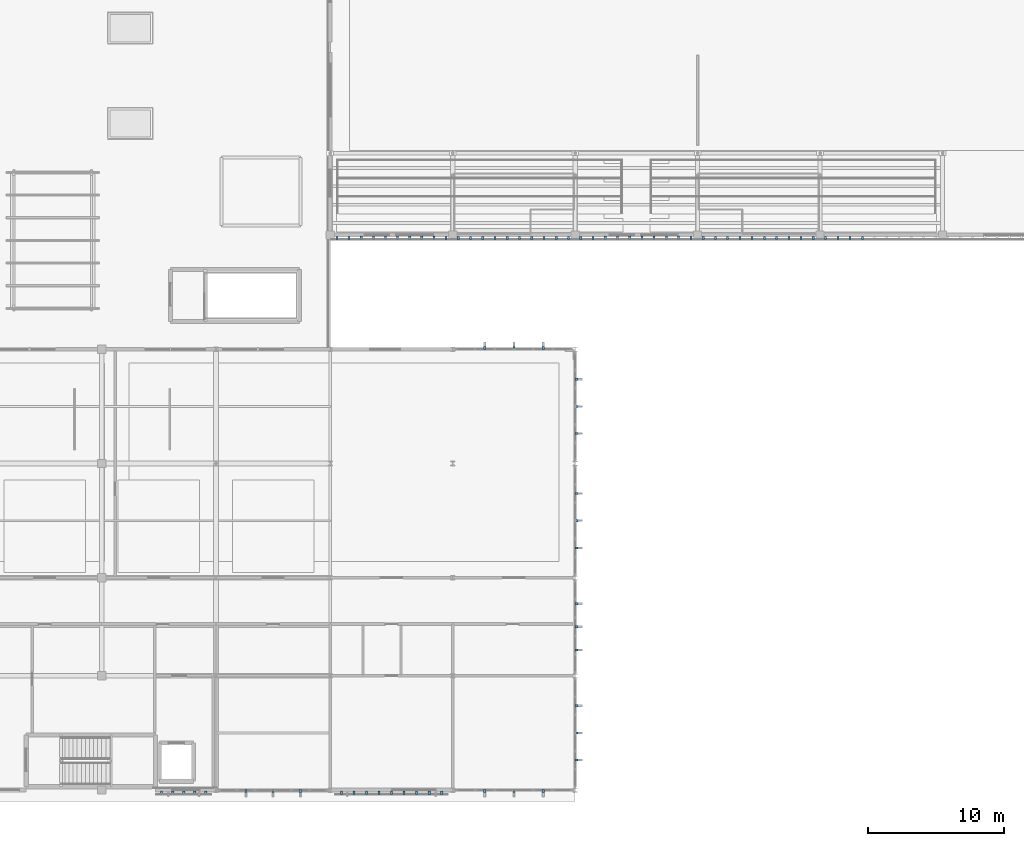
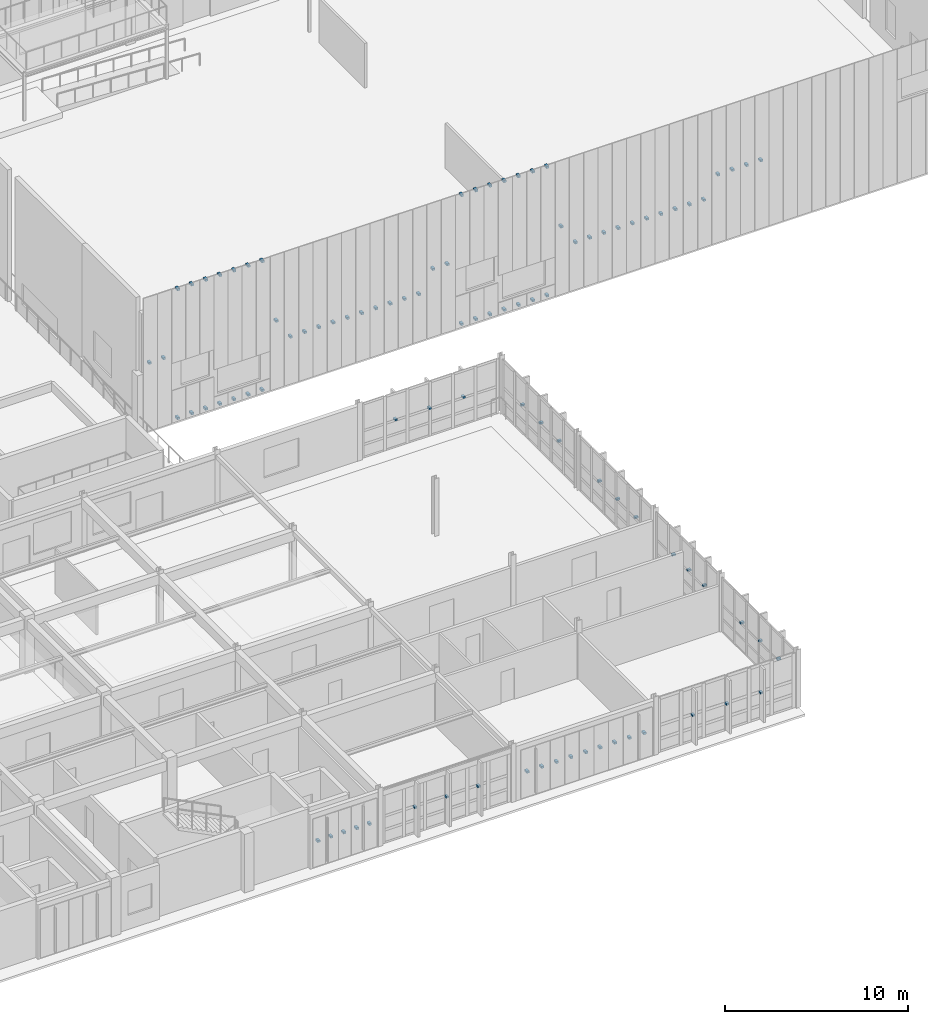
# One storey, part 50 of 67: 93 discrete accessories.
"""IFC4 building model written with IfcOpenShell, lengths in metres."""

import ifcopenshell
import ifcopenshell.guid

model = None  # the IFC model being written
_history = None  # IfcOwnerHistory: only IFC2X3 demands one
_inside = {}  # id of a spatial element -> (the spatial element, [elements in it])
_under = {}  # id of a project, library or spatial element -> (it, [spatial elements below it])
_declared = {}  # id of a project -> (the project, [libraries it declares])
_typed = {}  # id of a type object -> (the type object, [elements of that type])
_made_of = {}  # id of a material, layer set ... -> (it, [elements and type objects made of it])


def new_model(schema):
    """Start an empty IFC model of exactly this schema.

    Asked for "IFC4X3", IfcOpenShell would pick the latest addendum, in which some entities
    have other attributes; the version numbers below select the first issue.
    IFC2X3 requires an IfcOwnerHistory on every rooted entity: one is made here for all.
    """
    global model, _history
    if schema == "IFC4X3":
        model = ifcopenshell.file(schema_version=(4, 3, 0, 0))
    else:
        model = ifcopenshell.file(schema=schema)
    _inside.clear()
    _under.clear()
    _declared.clear()
    _typed.clear()
    _made_of.clear()
    _history = None
    if model.schema == "IFC2X3":
        org = make("IfcOrganization", Name="unknown")
        user = make(
            "IfcPersonAndOrganization",
            ThePerson=make("IfcPerson", FamilyName="unknown"),
            TheOrganization=org,
        )
        app = make(
            "IfcApplication",
            ApplicationDeveloper=org,
            Version="unknown",
            ApplicationFullName="unknown",
            ApplicationIdentifier="unknown",
        )
        _history = make(
            "IfcOwnerHistory",
            OwningUser=user,
            OwningApplication=app,
            ChangeAction="ADDED",
            CreationDate=0,
        )
    return model


def make(cls, **values):
    """One entity of the class cls with the attributes given. An attribute that is None is left unset."""
    return model.create_entity(
        cls, **{name: value for name, value in values.items() if value is not None}
    )


def rooted(cls, **values):
    """An entity with a GlobalId (a new one), such as an element, a storey or a relation."""
    return make(cls, GlobalId=ifcopenshell.guid.new(), OwnerHistory=_history, **values)


def si_unit(unit_type, name, prefix=None):
    """IfcSIUnit, for example si_unit("LENGTHUNIT", "METRE", prefix="MILLI")."""
    return make("IfcSIUnit", UnitType=unit_type, Prefix=prefix, Name=name)


def assignment(units):
    """IfcUnitAssignment: the units of a project."""
    return None if units is None else make("IfcUnitAssignment", Units=units)


def point(xyz):
    """IfcCartesianPoint."""
    return None if xyz is None else make("IfcCartesianPoint", Coordinates=xyz)


def direction(xyz):
    """IfcDirection."""
    return None if xyz is None else make("IfcDirection", DirectionRatios=xyz)


def frame(location, z_axis=None, x_axis=None):
    """IfcAxis2Placement3D, a coordinate frame: its origin and axes. An axis left out is left unset."""
    return make(
        "IfcAxis2Placement3D",
        Location=point(location),
        Axis=direction(z_axis),
        RefDirection=direction(x_axis),
    )


def frame_2d(location, x_axis=None):
    """IfcAxis2Placement2D, a coordinate frame in the plane: its origin and x axis."""
    return make(
        "IfcAxis2Placement2D", Location=point(location), RefDirection=direction(x_axis)
    )


def origin():
    """The frame at (0, 0, 0) with its axes left unset."""
    return frame((0.0, 0.0, 0.0))


def origin_2d():
    """The frame at (0, 0) in the plane with its x axis left unset."""
    return frame_2d((0.0, 0.0))


def place(relative_to, where):
    """IfcLocalPlacement: puts the frame where relative to a parent placement (None: the world)."""
    return make(
        "IfcLocalPlacement", PlacementRelTo=relative_to, RelativePlacement=where
    )


def context(
    kind, dimensions, precision=None, world=None, true_north=None, identifier=None
):
    """IfcGeometricRepresentationContext, for example the 3D "Model" context."""
    return make(
        "IfcGeometricRepresentationContext",
        ContextIdentifier=identifier,
        ContextType=kind,
        CoordinateSpaceDimension=dimensions,
        Precision=precision,
        WorldCoordinateSystem=world,
        TrueNorth=true_north,
    )


def subcontext(parent, identifier, kind, view, scale=None):
    """IfcGeometricRepresentationSubContext, for example "Body" below "Model"."""
    return make(
        "IfcGeometricRepresentationSubContext",
        ContextIdentifier=identifier,
        ContextType=kind,
        ParentContext=parent,
        TargetScale=scale,
        TargetView=view,
    )


def project(units=None, contexts=None):
    """IfcProject with its units and contexts."""
    return rooted(
        "IfcProject",
        Name="project",
        RepresentationContexts=contexts,
        UnitsInContext=assignment(units),
    )


def spatial(cls, under=None, at=None, **own):
    """A site, building, storey or space (cls), placed at a placement, below another one or the project."""
    s = rooted(cls, ObjectPlacement=at, **own)
    if under is not None:
        _under.setdefault(under.id(), (under, []))[1].append(s)
    return s


def profile(cls, at=None, kind="AREA", **sizes):
    """A parametric profile (cls). Its sizes go by their IFC names, for example OverallWidth=200.0."""
    return make(cls, ProfileType=kind, Position=at, **sizes)


def rectangle(**sizes):
    """IfcRectangleProfileDef."""
    return profile("IfcRectangleProfileDef", **sizes)


def extrude(swept, where, along, depth):
    """IfcExtrudedAreaSolid: the profile swept, set in the frame where, extruded along a direction by depth."""
    return make(
        "IfcExtrudedAreaSolid",
        SweptArea=swept,
        Position=where,
        ExtrudedDirection=direction(along),
        Depth=depth,
    )


def shape(context_of_items, identifier, shape_type, items):
    """IfcShapeRepresentation: the items that make up one representation, for example the "Body"."""
    return make(
        "IfcShapeRepresentation",
        ContextOfItems=context_of_items,
        RepresentationIdentifier=identifier,
        RepresentationType=shape_type,
        Items=items,
    )


def material(Name=None, Category=None):
    """IfcMaterial."""
    return make("IfcMaterial", Name=Name, Category=Category)


def made_of(thing, what):
    """Note that an element or type object is made of a material, layer set ...; save() writes the relation."""
    if what is not None:
        _made_of.setdefault(what.id(), (what, []))[1].append(thing)
    return thing


def type_object(cls, material=None, **own):
    """A type object (cls), such as IfcWallType, which elements share."""
    return made_of(rooted(cls, **own), material)


def element(
    cls,
    number,
    at=None,
    inside=None,
    cuts=None,
    type_object=None,
    material=None,
    context=None,
    identifier="Body",
    shape_type=None,
    held_by="IfcProductDefinitionShape",
    body=None,
    shapes=None,
    **own,
):
    """One element of the class cls, such as IfcWall. Its Tag is "e" and its number.

    at: its placement. inside: the storey or other place that contains it. cuts: it is an
    opening in that element (IfcRelVoidsElement). A single representation is given by context,
    identifier, shape_type and body (its items); several are given by shapes. held_by: the class
    of the entity that holds the representations. save() writes the other relations.
    """
    e = rooted(cls, Tag="e%d" % number, ObjectPlacement=at, **own)
    if body is not None:
        shapes = [shape(context, identifier, shape_type, body)]
    if shapes is not None:
        e.Representation = make(held_by, Representations=shapes)
    if inside is not None:
        _inside.setdefault(inside.id(), (inside, []))[1].append(e)
    if cuts is not None:
        rooted(
            "IfcRelVoidsElement", RelatingBuildingElement=cuts, RelatedOpeningElement=e
        )
    if type_object is not None:
        _typed.setdefault(type_object.id(), (type_object, []))[1].append(e)
    return made_of(e, material)


def aggregate(whole, parts):
    """IfcRelAggregates: a whole, such as a stair, and the parts it consists of."""
    return rooted("IfcRelAggregates", RelatingObject=whole, RelatedObjects=parts)


def save(model, path):
    """Write the relations noted so far, then the file.

    IfcRelAggregates (storeys below a building ...), IfcRelContainedInSpatialStructure (elements
    in a storey), IfcRelDefinesByType, IfcRelAssociatesMaterial and IfcRelDeclares: one each for
    every whole, place, type object, material and project.
    """
    for whole, parts in _under.values():
        aggregate(whole, parts)
    for where, things in _inside.values():
        rooted(
            "IfcRelContainedInSpatialStructure",
            RelatedElements=things,
            RelatingStructure=where,
        )
    for kind, things in _typed.values():
        rooted("IfcRelDefinesByType", RelatedObjects=things, RelatingType=kind)
    for what, things in _made_of.values():
        rooted("IfcRelAssociatesMaterial", RelatedObjects=things, RelatingMaterial=what)
    for by, libraries in _declared.values():
        rooted("IfcRelDeclares", RelatingContext=by, RelatedDefinitions=libraries)
    model.write(path)


model = new_model("IFC4")

# Units and contexts
model_context = context("Model", 3, precision=1e-05, world=origin(), true_north=direction((0.0, 1.0)))
body_context = subcontext(model_context, "Body", "Model", "MODEL_VIEW")
ifc_project = project(units=[si_unit("LENGTHUNIT", "METRE"), si_unit("AREAUNIT", "SQUARE_METRE"), si_unit("VOLUMEUNIT", "CUBIC_METRE"), si_unit("PLANEANGLEUNIT", "RADIAN"), si_unit("MASSUNIT", "GRAM", prefix="KILO")], contexts=[model_context])

# Site, building, storey
site_placement = place(None, origin())
site = spatial("IfcSite", under=ifc_project, at=site_placement, CompositionType="ELEMENT")
building_placement = place(site_placement, origin())
building = spatial("IfcBuilding", under=site, at=building_placement, Name="Tizgana Railside Sports Hall", CompositionType="ELEMENT")
storey_placement = place(building_placement, frame((0.0, 0.0, 12.0)))
storey = spatial("IfcBuildingStorey", under=building, at=storey_placement, Name="L02", CompositionType="ELEMENT", Elevation=12.0)

# Discrete accessories
ifc_material = material(Name="Steel S355J2", Category="steel")
discrete_accessory_type = type_object("IfcDiscreteAccessoryType", Name="Stainless Facade Support Bracket", PredefinedType="BRACKET", material=ifc_material)
discrete_accessory_placement = place(storey_placement, frame((88.304931640625, 40.580078125, 4.43017578125), z_axis=(0.0, 0.0, 1.0), x_axis=(-1.0, 0.0, 0.0)))
element("IfcDiscreteAccessory", 1, at=discrete_accessory_placement, inside=storey, type_object=discrete_accessory_type, Name="L02 Screen Bracket", PredefinedType="BRACKET", context=body_context, shape_type="SweptSolid", body=[
    extrude(rectangle(XDim=0.159912109375, YDim=0.25, at=origin_2d()), origin(), (0.0, 0.0, 1.0), 0.139892578125),
])
for number, where, z_axis, x_axis, name in (
    (2, (87.4150390625, 40.580078125, 0.1298828125), (0.0, 0.0, 1.0), (-1.0, 0.0, 0.0), "L02 Spandrel Bracket"),
    (3, (87.4150390625, 40.580078125, 8.72998046875), (0.0, 0.0, 1.0), (-1.0, 0.0, 0.0), "L02 Header Bracket"),
    (4, (86.52490234375, 40.580078125, 0.1298828125), (0.0, 0.0, 1.0), (-1.0, 0.0, 0.0), "L02 Spandrel Bracket"),
    (5, (86.52490234375, 40.580078125, 8.72998046875), (0.0, 0.0, 1.0), (-1.0, 0.0, 0.0), "L02 Header Bracket"),
    (6, (85.635009765625, 40.580078125, 0.1298828125), (0.0, 0.0, 1.0), (-1.0, 0.0, 0.0), "L02 Spandrel Bracket"),
    (7, (85.635009765625, 40.580078125, 8.72998046875), (0.0, 0.0, 1.0), (-1.0, 0.0, 0.0), "L02 Header Bracket"),
    (8, (84.7451171875, 40.580078125, 0.1298828125), (0.0, 0.0, 1.0), (-1.0, 0.0, 0.0), "L02 Spandrel Bracket"),
    (9, (84.7451171875, 40.580078125, 8.72998046875), (0.0, 0.0, 1.0), (-1.0, 0.0, 0.0), "L02 Header Bracket"),
    (10, (83.85498046875, 40.580078125, 0.1298828125), (0.0, 0.0, 1.0), (-1.0, 0.0, 0.0), "L02 Spandrel Bracket"),
    (11, (83.85498046875, 40.580078125, 8.72998046875), (0.0, 0.0, 1.0), (-1.0, 0.0, 0.0), "L02 Header Bracket"),
    (12, (82.965087890625, 40.580078125, 0.1298828125), (0.0, 0.0, 1.0), (-1.0, 0.0, 0.0), "L02 Spandrel Bracket"),
    (13, (82.965087890625, 40.580078125, 8.72998046875), (0.0, 0.0, 1.0), (-1.0, 0.0, 0.0), "L02 Header Bracket"),
    (14, (82.074951171875, 40.580078125, 0.1298828125), (0.0, 0.0, 1.0), (-1.0, 0.0, 0.0), "L02 Spandrel Bracket"),
    (15, (82.074951171875, 40.580078125, 8.72998046875), (0.0, 0.0, 1.0), (-1.0, 0.0, 0.0), "L02 Header Bracket"),
):
    element("IfcDiscreteAccessory", number, at=place(storey_placement, frame(where, z_axis=z_axis, x_axis=x_axis)), inside=storey, type_object=discrete_accessory_type, Name=name, PredefinedType="BRACKET", context=body_context, shape_type="SweptSolid", body=[
        extrude(rectangle(XDim=0.159912109375, YDim=0.260009765625, at=origin_2d()), origin(), (0.0, 0.0, 1.0), 0.139892578125),
    ])
for number, where, z_axis, x_axis, name in (
    (16, (81.18505859375, 40.580078125, 4.43017578125), (0.0, 0.0, 1.0), (-1.0, 0.0, 0.0), "L02 Screen Bracket"),
    (17, (80.294921875, 40.580078125, 4.43017578125), (0.0, 0.0, 1.0), (-1.0, 0.0, 0.0), "L02 Screen Bracket"),
    (18, (97.30029296875, 40.580078125, 3.05517578125), (0.0, 0.0, 1.0), (-1.0, 0.0, 0.0), "L02 Screen Bracket"),
    (19, (96.40087890625, 40.580078125, 3.05517578125), (0.0, 0.0, 1.0), (-1.0, 0.0, 0.0), "L02 Screen Bracket"),
    (20, (95.501220703125, 40.580078125, 3.05517578125), (0.0, 0.0, 1.0), (-1.0, 0.0, 0.0), "L02 Screen Bracket"),
    (21, (94.601806640625, 40.580078125, 3.05517578125), (0.0, 0.0, 1.0), (-1.0, 0.0, 0.0), "L02 Screen Bracket"),
    (22, (93.7021484375, 40.580078125, 3.05517578125), (0.0, 0.0, 1.0), (-1.0, 0.0, 0.0), "L02 Screen Bracket"),
    (23, (92.802734375, 40.580078125, 3.05517578125), (0.0, 0.0, 1.0), (-1.0, 0.0, 0.0), "L02 Screen Bracket"),
    (24, (91.9033203125, 40.580078125, 3.05517578125), (0.0, 0.0, 1.0), (-1.0, 0.0, 0.0), "L02 Screen Bracket"),
    (25, (91.003662109375, 40.580078125, 3.05517578125), (0.0, 0.0, 1.0), (-1.0, 0.0, 0.0), "L02 Screen Bracket"),
    (26, (90.104248046875, 40.580078125, 3.05517578125), (0.0, 0.0, 1.0), (-1.0, 0.0, 0.0), "L02 Screen Bracket"),
    (27, (89.20458984375, 40.580078125, 3.05517578125), (0.0, 0.0, 1.0), (-1.0, 0.0, 0.0), "L02 Screen Bracket"),
    (28, (106.30029296875, 40.580078125, 4.43017578125), (0.0, 0.0, 1.0), (-1.0, 0.0, 0.0), "L02 Screen Bracket"),
):
    element("IfcDiscreteAccessory", number, at=place(storey_placement, frame(where, z_axis=z_axis, x_axis=x_axis)), inside=storey, type_object=discrete_accessory_type, Name=name, PredefinedType="BRACKET", context=body_context, shape_type="SweptSolid", body=[
        extrude(rectangle(XDim=0.159912109375, YDim=0.25, at=origin_2d()), origin(), (0.0, 0.0, 1.0), 0.139892578125),
    ])
for number, where, z_axis, x_axis, name in (
    (29, (105.40087890625, 40.580078125, 0.1298828125), (0.0, 0.0, 1.0), (-1.0, 0.0, 0.0), "L02 Spandrel Bracket"),
    (30, (105.40087890625, 40.580078125, 8.72998046875), (0.0, 0.0, 1.0), (-1.0, 0.0, 0.0), "L02 Header Bracket"),
    (31, (104.501220703125, 40.580078125, 0.1298828125), (0.0, 0.0, 1.0), (-1.0, 0.0, 0.0), "L02 Spandrel Bracket"),
    (32, (104.501220703125, 40.580078125, 8.72998046875), (0.0, 0.0, 1.0), (-1.0, 0.0, 0.0), "L02 Header Bracket"),
    (33, (103.601806640625, 40.580078125, 0.1298828125), (0.0, 0.0, 1.0), (-1.0, 0.0, 0.0), "L02 Spandrel Bracket"),
    (34, (103.601806640625, 40.580078125, 8.72998046875), (0.0, 0.0, 1.0), (-1.0, 0.0, 0.0), "L02 Header Bracket"),
    (35, (102.7021484375, 40.580078125, 0.1298828125), (0.0, 0.0, 1.0), (-1.0, 0.0, 0.0), "L02 Spandrel Bracket"),
    (36, (102.7021484375, 40.580078125, 8.72998046875), (0.0, 0.0, 1.0), (-1.0, 0.0, 0.0), "L02 Header Bracket"),
    (37, (101.802734375, 40.580078125, 0.1298828125), (0.0, 0.0, 1.0), (-1.0, 0.0, 0.0), "L02 Spandrel Bracket"),
    (38, (101.802734375, 40.580078125, 8.72998046875), (0.0, 0.0, 1.0), (-1.0, 0.0, 0.0), "L02 Header Bracket"),
    (39, (100.9033203125, 40.580078125, 0.1298828125), (0.0, 0.0, 1.0), (-1.0, 0.0, 0.0), "L02 Spandrel Bracket"),
    (40, (100.9033203125, 40.580078125, 8.72998046875), (0.0, 0.0, 1.0), (-1.0, 0.0, 0.0), "L02 Header Bracket"),
    (41, (100.003662109375, 40.580078125, 0.1298828125), (0.0, 0.0, 1.0), (-1.0, 0.0, 0.0), "L02 Spandrel Bracket"),
    (42, (100.003662109375, 40.580078125, 8.72998046875), (0.0, 0.0, 1.0), (-1.0, 0.0, 0.0), "L02 Header Bracket"),
):
    element("IfcDiscreteAccessory", number, at=place(storey_placement, frame(where, z_axis=z_axis, x_axis=x_axis)), inside=storey, type_object=discrete_accessory_type, Name=name, PredefinedType="BRACKET", context=body_context, shape_type="SweptSolid", body=[
        extrude(rectangle(XDim=0.159912109375, YDim=0.260009765625, at=origin_2d()), origin(), (0.0, 0.0, 1.0), 0.139892578125),
    ])
for number, where, z_axis, x_axis, name in (
    (43, (99.104248046875, 40.580078125, 4.43017578125), (0.0, 0.0, 1.0), (-1.0, 0.0, 0.0), "L02 Screen Bracket"),
    (44, (98.20458984375, 40.580078125, 4.43017578125), (0.0, 0.0, 1.0), (-1.0, 0.0, 0.0), "L02 Screen Bracket"),
    (45, (115.30029296875, 40.580078125, 3.05517578125), (0.0, 0.0, 1.0), (-1.0, 0.0, 0.0), "L02 Screen Bracket"),
    (46, (114.40087890625, 40.580078125, 3.05517578125), (0.0, 0.0, 1.0), (-1.0, 0.0, 0.0), "L02 Screen Bracket"),
    (47, (113.501220703125, 40.580078125, 3.05517578125), (0.0, 0.0, 1.0), (-1.0, 0.0, 0.0), "L02 Screen Bracket"),
    (48, (112.601806640625, 40.580078125, 3.05517578125), (0.0, 0.0, 1.0), (-1.0, 0.0, 0.0), "L02 Screen Bracket"),
    (49, (111.7021484375, 40.580078125, 3.05517578125), (0.0, 0.0, 1.0), (-1.0, 0.0, 0.0), "L02 Screen Bracket"),
    (50, (110.802734375, 40.580078125, 3.05517578125), (0.0, 0.0, 1.0), (-1.0, 0.0, 0.0), "L02 Screen Bracket"),
    (51, (109.9033203125, 40.580078125, 3.05517578125), (0.0, 0.0, 1.0), (-1.0, 0.0, 0.0), "L02 Screen Bracket"),
    (52, (109.003662109375, 40.580078125, 3.05517578125), (0.0, 0.0, 1.0), (-1.0, 0.0, 0.0), "L02 Screen Bracket"),
    (53, (108.104248046875, 40.580078125, 3.05517578125), (0.0, 0.0, 1.0), (-1.0, 0.0, 0.0), "L02 Screen Bracket"),
    (54, (107.20458984375, 40.580078125, 3.05517578125), (0.0, 0.0, 1.0), (-1.0, 0.0, 0.0), "L02 Screen Bracket"),
    (55, (118.9033203125, 40.580078125, 4.43017578125), (0.0, 0.0, 1.0), (-1.0, 0.0, 0.0), "L02 Screen Bracket"),
    (56, (118.003662109375, 40.580078125, 4.43017578125), (0.0, 0.0, 1.0), (-1.0, 0.0, 0.0), "L02 Screen Bracket"),
    (57, (117.104248046875, 40.580078125, 4.43017578125), (0.0, 0.0, 1.0), (-1.0, 0.0, 0.0), "L02 Screen Bracket"),
    (58, (116.20458984375, 40.580078125, 4.43017578125), (0.0, 0.0, 1.0), (-1.0, 0.0, 0.0), "L02 Screen Bracket"),
    (59, (70.64501953125, -0.199951171875, 1.75), (0.0, 0.0, 1.0), (-1.0, 0.0, 0.0), "L02 Screen Bracket"),
    (60, (69.8349609375, -0.199951171875, 1.75), (0.0, 0.0, 1.0), (-1.0, 0.0, 0.0), "L02 Screen Bracket"),
    (61, (69.02490234375, -0.199951171875, 1.75), (0.0, 0.0, 1.0), (-1.0, 0.0, 0.0), "L02 Screen Bracket"),
    (62, (68.215087890625, -0.199951171875, 1.75), (0.0, 0.0, 1.0), (-1.0, 0.0, 0.0), "L02 Screen Bracket"),
    (63, (67.405029296875, -0.199951171875, 1.75), (0.0, 0.0, 1.0), (-1.0, 0.0, 0.0), "L02 Screen Bracket"),
):
    element("IfcDiscreteAccessory", number, at=place(storey_placement, frame(where, z_axis=z_axis, x_axis=x_axis)), inside=storey, type_object=discrete_accessory_type, Name=name, PredefinedType="BRACKET", context=body_context, shape_type="SweptSolid", body=[
        extrude(rectangle(XDim=0.159912109375, YDim=0.25, at=origin_2d()), origin(), (0.0, 0.0, 1.0), 0.139892578125),
    ])
for number, where, z_axis, x_axis, name in (
    (64, (77.597412109375, -0.080078125, 1.760009765625), (0.0, 0.0, 1.0), (-1.0, 0.0, 0.0), "L02 Fin Bracket"),
    (65, (75.60009765625, -0.080078125, 1.760009765625), (0.0, 0.0, 1.0), (-1.0, 0.0, 0.0), "L02 Fin Bracket"),
    (66, (73.6025390625, -0.080078125, 1.760009765625), (0.0, 0.0, 1.0), (-1.0, 0.0, 0.0), "L02 Fin Bracket"),
):
    element("IfcDiscreteAccessory", number, at=place(storey_placement, frame(where, z_axis=z_axis, x_axis=x_axis)), inside=storey, type_object=discrete_accessory_type, Name=name, PredefinedType="BRACKET", context=body_context, shape_type="SweptSolid", body=[
        extrude(rectangle(XDim=0.159912109375, YDim=0.219970703125, at=origin_2d()), origin(), (0.0, 0.0, 1.0), 0.1201171875),
    ])
for number, where, z_axis, x_axis, name in (
    (67, (87.989013671875, -0.199951171875, 1.75), (0.0, 0.0, 1.0), (-1.0, 0.0, 0.0), "L02 Screen Bracket"),
    (68, (87.066650390625, -0.199951171875, 1.75), (0.0, 0.0, 1.0), (-1.0, 0.0, 0.0), "L02 Screen Bracket"),
    (69, (86.144287109375, -0.199951171875, 1.75), (0.0, 0.0, 1.0), (-1.0, 0.0, 0.0), "L02 Screen Bracket"),
    (70, (85.22216796875, -0.199951171875, 1.75), (0.0, 0.0, 1.0), (-1.0, 0.0, 0.0), "L02 Screen Bracket"),
    (71, (84.300048828125, -0.199951171875, 1.75), (0.0, 0.0, 1.0), (-1.0, 0.0, 0.0), "L02 Screen Bracket"),
    (72, (83.377685546875, -0.199951171875, 1.75), (0.0, 0.0, 1.0), (-1.0, 0.0, 0.0), "L02 Screen Bracket"),
    (73, (82.45556640625, -0.199951171875, 1.75), (0.0, 0.0, 1.0), (-1.0, 0.0, 0.0), "L02 Screen Bracket"),
    (74, (81.533203125, -0.199951171875, 1.75), (0.0, 0.0, 1.0), (-1.0, 0.0, 0.0), "L02 Screen Bracket"),
    (75, (80.611083984375, -0.199951171875, 1.75), (0.0, 0.0, 1.0), (-1.0, 0.0, 0.0), "L02 Screen Bracket"),
):
    element("IfcDiscreteAccessory", number, at=place(storey_placement, frame(where, z_axis=z_axis, x_axis=x_axis)), inside=storey, type_object=discrete_accessory_type, Name=name, PredefinedType="BRACKET", context=body_context, shape_type="SweptSolid", body=[
        extrude(rectangle(XDim=0.159912109375, YDim=0.25, at=origin_2d()), origin(), (0.0, 0.0, 1.0), 0.139892578125),
    ])
for number, where, z_axis, x_axis, name in (
    (76, (95.447509765625, -0.080078125, 1.760009765625), (0.0, 0.0, 1.0), (-1.0, 0.0, 0.0), "L02 Fin Bracket"),
    (77, (93.300048828125, -0.080078125, 1.760009765625), (0.0, 0.0, 1.0), (-1.0, 0.0, 0.0), "L02 Fin Bracket"),
    (78, (91.152587890625, -0.080078125, 1.760009765625), (0.0, 0.0, 1.0), (-1.0, 0.0, 0.0), "L02 Fin Bracket"),
    (79, (91.152587890625, 32.47998046875, 1.760009765625), (0.0, 0.0, 1.0), (1.0, 0.0, 0.0), "L02 Fin Bracket"),
    (80, (93.300048828125, 32.47998046875, 1.760009765625), (0.0, 0.0, 1.0), (1.0, 0.0, 0.0), "L02 Fin Bracket"),
    (81, (95.447509765625, 32.47998046875, 1.760009765625), (0.0, 0.0, 1.0), (1.0, 0.0, 0.0), "L02 Fin Bracket"),
    (82, (97.8798828125, 6.197509765625, 1.760009765625), (0.0, 0.0, 1.0), (0.0, -1.0, 0.0), "L02 Fin Bracket"),
    (83, (97.8798828125, 4.199951171875, 1.760009765625), (0.0, 0.0, 1.0), (0.0, -1.0, 0.0), "L02 Fin Bracket"),
    (84, (97.8798828125, 2.202392578125, 1.760009765625), (0.0, 0.0, 1.0), (0.0, -1.0, 0.0), "L02 Fin Bracket"),
    (85, (97.8798828125, 13.697509765625, 1.760009765625), (0.0, 0.0, 1.0), (0.0, -1.0, 0.0), "L02 Fin Bracket"),
    (86, (97.8798828125, 12.0, 1.760009765625), (0.0, 0.0, 1.0), (0.0, -1.0, 0.0), "L02 Fin Bracket"),
    (87, (97.8798828125, 10.302490234375, 1.760009765625), (0.0, 0.0, 1.0), (0.0, -1.0, 0.0), "L02 Fin Bracket"),
    (88, (97.8798828125, 21.797607421875, 1.760009765625), (0.0, 0.0, 1.0), (0.0, -1.0, 0.0), "L02 Fin Bracket"),
    (89, (97.8798828125, 19.800048828125, 1.760009765625), (0.0, 0.0, 1.0), (0.0, -1.0, 0.0), "L02 Fin Bracket"),
    (90, (97.8798828125, 17.802490234375, 1.760009765625), (0.0, 0.0, 1.0), (0.0, -1.0, 0.0), "L02 Fin Bracket"),
    (91, (97.8798828125, 30.197509765625, 1.760009765625), (0.0, 0.0, 1.0), (0.0, -1.0, 0.0), "L02 Fin Bracket"),
    (92, (97.8798828125, 28.199951171875, 1.760009765625), (0.0, 0.0, 1.0), (0.0, -1.0, 0.0), "L02 Fin Bracket"),
    (93, (97.8798828125, 26.202392578125, 1.760009765625), (0.0, 0.0, 1.0), (0.0, -1.0, 0.0), "L02 Fin Bracket"),
):
    element("IfcDiscreteAccessory", number, at=place(storey_placement, frame(where, z_axis=z_axis, x_axis=x_axis)), inside=storey, type_object=discrete_accessory_type, Name=name, PredefinedType="BRACKET", context=body_context, shape_type="SweptSolid", body=[
        extrude(rectangle(XDim=0.159912109375, YDim=0.219970703125, at=origin_2d()), origin(), (0.0, 0.0, 1.0), 0.1201171875),
    ])

save(model, "model.ifc")
